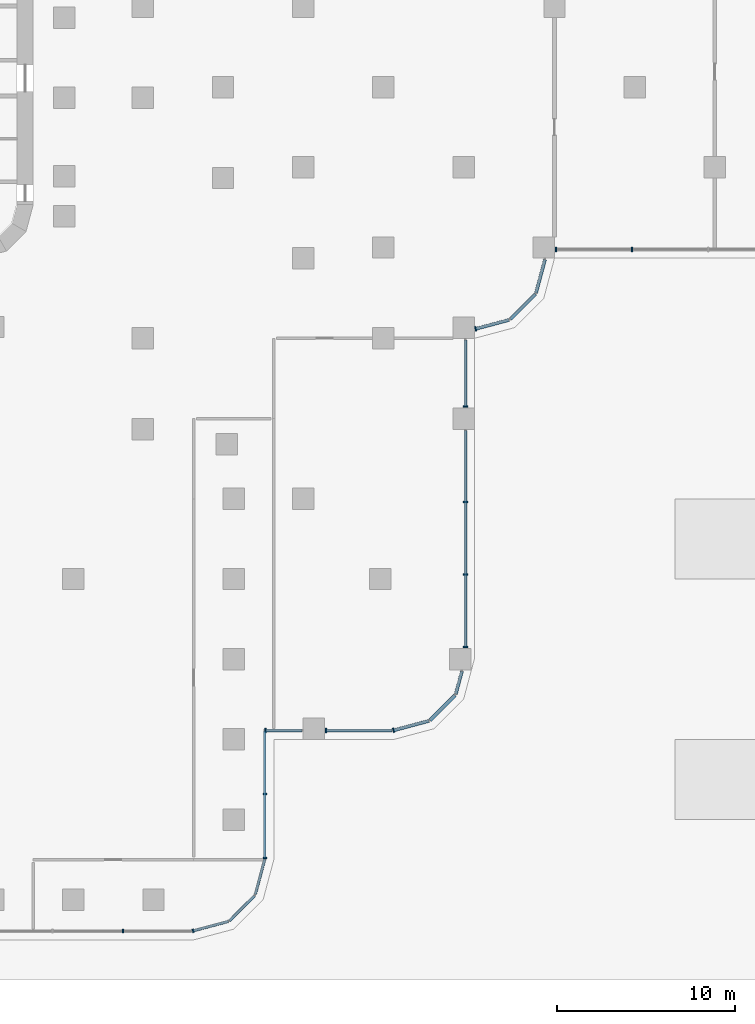
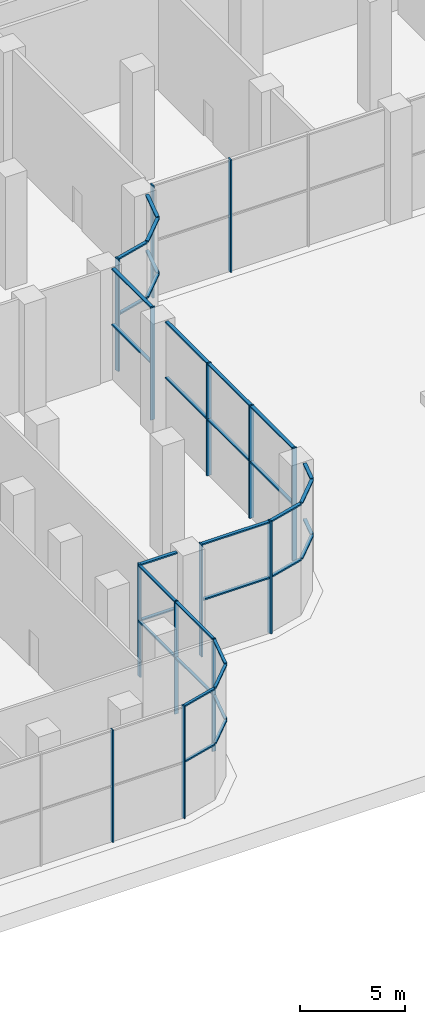
# One storey, part 5 of 34: 42 members, 14 elements without a shape of their own.
"""IFC4 building model written with IfcOpenShell, lengths in metres."""

from ifc_helpers import new_model, si_unit, direction, origin, place, context, subcontext, project, spatial, polyline, outline, extrude, source, transform, mapped, material, type_object, element, aggregate, save


model = new_model("IFC4")

# Units and contexts
model_context = context("Model", 3, precision=1e-05, world=origin(), true_north=direction((0.0, 1.0)))
body_context = subcontext(model_context, "Body", "Model", "MODEL_VIEW")
ifc_project = project(units=[si_unit("LENGTHUNIT", "METRE"), si_unit("AREAUNIT", "SQUARE_METRE"), si_unit("VOLUMEUNIT", "CUBIC_METRE"), si_unit("PLANEANGLEUNIT", "RADIAN"), si_unit("MASSUNIT", "GRAM", prefix="KILO")], contexts=[model_context])

# Site, building, storey
site_placement = place(None, origin())
site = spatial("IfcSite", under=ifc_project, at=site_placement, CompositionType="ELEMENT")
building_placement = place(site_placement, origin())
building = spatial("IfcBuilding", under=site, at=building_placement, Name="Zarbagh Exchange Tower", CompositionType="ELEMENT")
storey_placement = place(building_placement, origin())
storey = spatial("IfcBuildingStorey", under=building, at=storey_placement, Name="L00", CompositionType="ELEMENT", Elevation=0.0)

# Curtain wall, member
ifc_material_1 = material(Name="Anodised aluminium frame and glazing", Category="aluminium")
curtain_wall_type_1 = type_object("IfcCurtainWallType", Name="CWD Exchange hall wall glazing", PredefinedType="NOTDEFINED", material=ifc_material_1)
curtain_wall_1_placement = place(storey_placement, origin())
curtain_wall_1 = element("IfcCurtainWall", 1, at=curtain_wall_1_placement, inside=storey, type_object=curtain_wall_type_1, Name="CWD01 curtain wall", PredefinedType="NOTDEFINED")
ifc_material_2 = material(Name="Anodised aluminium frame", Category="aluminium")
member_type_1 = type_object("IfcMemberType", Name="MUD Mullion, anodised aluminium frame", PredefinedType="MULLION", material=ifc_material_2)
shared_shape_1 = source(origin(), body_context, "Body", "SweptSolid", [
    extrude(outline(polyline([(0.0, -0.10009765625), (0.080078125, -0.10009765625), (0.080078125, 0.10009765625), (0.0, 0.10009765625), (0.0, -0.10009765625)])), origin(), (0.0, 0.0, 1.0), 6.550048828125),
])
placement = place(storey_placement, origin())
member_1 = element("IfcMember", 2, at=placement, type_object=member_type_1, Name="CWD01 mullion 1.1", PredefinedType="MULLION", context=body_context, shape_type="MappedRepresentation", body=[
    mapped(shared_shape_1, transform((13.43408203125, -67.0, 0.0), x_axis=(0.965924289636, 0.258824779902, 0.0), y_axis=(-0.258824779902, 0.965924289636, 0.0), z_axis=(0.0, 0.0, 1.0))),
])

# Curtain wall, members
curtain_wall_2_placement = place(storey_placement, origin())
curtain_wall_2 = element("IfcCurtainWall", 3, at=curtain_wall_2_placement, inside=storey, type_object=curtain_wall_type_1, Name="CWD04 curtain wall", PredefinedType="NOTDEFINED")
member_2 = element("IfcMember", 4, at=placement, type_object=member_type_1, Name="CWD04 mullion 1.1", PredefinedType="MULLION", context=body_context, shape_type="MappedRepresentation", body=[
    mapped(shared_shape_1, transform((17.5, -62.93408203125, 0.0), x_axis=(0.0, 1.0, 0.0), y_axis=(-1.0, 0.0, 0.0), z_axis=(0.0, 0.0, 1.0))),
])
member_3 = element("IfcMember", 5, at=placement, type_object=member_type_1, Name="CWD04 mullion 1.2", PredefinedType="MULLION", context=body_context, shape_type="MappedRepresentation", body=[
    mapped(shared_shape_1, transform((17.5, -59.342041015625, 0.0), x_axis=(0.0, 1.0, 0.0), y_axis=(-1.0, 0.0, 0.0), z_axis=(0.0, 0.0, 1.0))),
])

# Curtain wall, member
curtain_wall_3_placement = place(storey_placement, origin())
curtain_wall_3 = element("IfcCurtainWall", 6, at=curtain_wall_3_placement, inside=storey, type_object=curtain_wall_type_1, Name="CWD09 curtain wall", PredefinedType="NOTDEFINED")
member_4 = element("IfcMember", 7, at=placement, type_object=member_type_1, Name="CWD09 mullion 2.3", PredefinedType="MULLION", context=body_context, shape_type="MappedRepresentation", body=[
    mapped(shared_shape_1, transform((9.489501953125, -67.0, 0.0), x_axis=(1.0, 0.0, 0.0), y_axis=(0.0, 1.0, 0.0), z_axis=(0.0, 0.0, 1.0))),
])
aggregate(curtain_wall_3, [member_4])

# Member
member_type_2 = type_object("IfcMemberType", Name="TRD Transom, anodised aluminium frame", PredefinedType="USERDEFINED", material=ifc_material_2)
shared_shape_2 = source(origin(), body_context, "Body", "SweptSolid", [
    extrude(outline(polyline([(-0.080078125, -0.074951171875), (0.0, -0.074951171875), (0.0, 0.074951171875), (-0.080078125, 0.074951171875), (-0.080078125, -0.074951171875)])), origin(), (0.0, 0.0, 1.0), 2.049560546875),
])
member_5 = element("IfcMember", 8, at=placement, type_object=member_type_2, Name="CWD01 transom 1.1", ObjectType="TRANSOM", PredefinedType="USERDEFINED", context=body_context, shape_type="MappedRepresentation", body=[
    mapped(shared_shape_2, transform((13.472900390625, -66.98974609375, 6.550048828125), x_axis=(0.0, 0.0, 1.0), y_axis=(0.258824779902, -0.965924289636, 0.0), z_axis=(0.965924289636, 0.258824779902, 0.0))),
])

# Curtain wall, member
curtain_wall_4_placement = place(storey_placement, origin())
curtain_wall_4 = element("IfcCurtainWall", 9, at=curtain_wall_4_placement, inside=storey, type_object=curtain_wall_type_1, Name="CWD03 curtain wall", PredefinedType="NOTDEFINED")
member_6 = element("IfcMember", 10, at=placement, type_object=member_type_2, Name="CWD03 transom 1.1", ObjectType="TRANSOM", PredefinedType="USERDEFINED", context=body_context, shape_type="MappedRepresentation", body=[
    mapped(shared_shape_2, transform((16.959228515625, -64.95263671875, 6.550048828125), x_axis=(0.0, 0.0, 1.0), y_axis=(0.965924289636, -0.258824779902, 0.0), z_axis=(0.258824779902, 0.965924289636, 0.0))),
])

# Member
shared_shape_3 = source(origin(), body_context, "Body", "SweptSolid", [
    extrude(outline(polyline([(-0.0400390625, -0.074951171875), (0.0400390625, -0.074951171875), (0.0400390625, 0.074951171875), (-0.0400390625, 0.074951171875), (-0.0400390625, -0.074951171875)])), origin(), (0.0, 0.0, 1.0), 2.049560546875),
])
member_7 = element("IfcMember", 11, at=placement, type_object=member_type_2, Name="CWD01 mid transom 1", ObjectType="TRANSOM", PredefinedType="USERDEFINED", context=body_context, shape_type="MappedRepresentation", body=[
    mapped(shared_shape_3, transform((13.472900390625, -66.98974609375, 3.27490234375), x_axis=(0.0, 0.0, 1.0), y_axis=(0.258824779902, -0.965924289636, 0.0), z_axis=(0.965924289636, 0.258824779902, 0.0))),
])

aggregate(curtain_wall_1, [member_1, member_5, member_7])

member_8 = element("IfcMember", 12, at=placement, type_object=member_type_2, Name="CWD03 mid transom 1", ObjectType="TRANSOM", PredefinedType="USERDEFINED", context=body_context, shape_type="MappedRepresentation", body=[
    mapped(shared_shape_3, transform((16.959228515625, -64.95263671875, 3.27490234375), x_axis=(0.0, 0.0, 1.0), y_axis=(0.965924289636, -0.258824779902, 0.0), z_axis=(0.258824779902, 0.965924289636, 0.0))),
])

aggregate(curtain_wall_4, [member_6, member_8])

# Curtain wall, members
curtain_wall_5_placement = place(storey_placement, origin())
curtain_wall_5 = element("IfcCurtainWall", 13, at=curtain_wall_5_placement, inside=storey, type_object=curtain_wall_type_1, Name="CWD02 curtain wall", PredefinedType="NOTDEFINED")
shared_shape_4 = source(origin(), body_context, "Body", "SweptSolid", [
    extrude(outline(polyline([(-0.080078125, -0.074951171875), (0.0, -0.074951171875), (0.0, 0.074951171875), (-0.080078125, 0.074951171875), (-0.080078125, -0.074951171875)])), origin(), (0.0, 0.0, 1.0), 1.9814453125),
])
member_9 = element("IfcMember", 14, at=placement, type_object=member_type_2, Name="CWD02 transom 1.1", ObjectType="TRANSOM", PredefinedType="USERDEFINED", context=body_context, shape_type="MappedRepresentation", body=[
    mapped(shared_shape_4, transform((15.51953125, -66.42041015625, 6.550048828125), x_axis=(0.0, 0.0, 1.0), y_axis=(0.707106781187, -0.707106781187, 0.0), z_axis=(0.707106781187, 0.707106781187, 0.0))),
])
shared_shape_5 = source(origin(), body_context, "Body", "SweptSolid", [
    extrude(outline(polyline([(-0.0400390625, -0.074951171875), (0.0400390625, -0.074951171875), (0.0400390625, 0.074951171875), (-0.0400390625, 0.074951171875), (-0.0400390625, -0.074951171875)])), origin(), (0.0, 0.0, 1.0), 1.9814453125),
])
member_10 = element("IfcMember", 15, at=placement, type_object=member_type_2, Name="CWD02 mid transom 1", ObjectType="TRANSOM", PredefinedType="USERDEFINED", context=body_context, shape_type="MappedRepresentation", body=[
    mapped(shared_shape_5, transform((15.51953125, -66.42041015625, 3.27490234375), x_axis=(0.0, 0.0, 1.0), y_axis=(0.707106781187, -0.707106781187, 0.0), z_axis=(0.707106781187, 0.707106781187, 0.0))),
])
aggregate(curtain_wall_5, [member_9, member_10])

# Member
shared_shape_6 = source(origin(), body_context, "Body", "SweptSolid", [
    extrude(outline(polyline([(-0.080078125, -0.074951171875), (0.0, -0.074951171875), (0.0, 0.074951171875), (-0.080078125, 0.074951171875), (-0.080078125, -0.074951171875)])), origin(), (0.0, 0.0, 1.0), 7.104248046875),
])
member_11 = element("IfcMember", 16, at=placement, type_object=member_type_2, Name="CWD04 transom 1.1", ObjectType="TRANSOM", PredefinedType="USERDEFINED", context=body_context, shape_type="MappedRepresentation", body=[
    mapped(shared_shape_6, transform((17.5, -62.894287109375, 6.550048828125), x_axis=(0.0, 0.0, 1.0), y_axis=(1.0, 0.0, 0.0), z_axis=(0.0, 1.0, 0.0))),
])

shared_shape_7 = source(origin(), body_context, "Body", "SweptSolid", [
    extrude(outline(polyline([(-0.0400390625, -0.074951171875), (0.0400390625, -0.074951171875), (0.0400390625, 0.074951171875), (-0.0400390625, 0.074951171875), (-0.0400390625, -0.074951171875)])), origin(), (0.0, 0.0, 1.0), 7.104248046875),
])
member_12 = element("IfcMember", 17, at=placement, type_object=member_type_2, Name="CWD04 mid transom 1", ObjectType="TRANSOM", PredefinedType="USERDEFINED", context=body_context, shape_type="MappedRepresentation", body=[
    mapped(shared_shape_7, transform((17.5, -62.894287109375, 3.27490234375), x_axis=(0.0, 0.0, 1.0), y_axis=(1.0, 0.0, 0.0), z_axis=(0.0, 1.0, 0.0))),
])

aggregate(curtain_wall_2, [member_2, member_11, member_12, member_3])

# Curtain wall, members
curtain_wall_type_2 = type_object("IfcCurtainWallType", Name="CWC Podium garden-wall glazing", PredefinedType="NOTDEFINED", material=ifc_material_1)
curtain_wall_6_placement = place(storey_placement, origin())
curtain_wall_6 = element("IfcCurtainWall", 18, at=curtain_wall_6_placement, inside=storey, type_object=curtain_wall_type_2, Name="CWC01 curtain wall", PredefinedType="NOTDEFINED")
member_type_3 = type_object("IfcMemberType", Name="MUC Mullion, anodised aluminium frame", PredefinedType="MULLION", material=ifc_material_2)
shared_shape_8 = source(origin(), body_context, "Body", "SweptSolid", [
    extrude(outline(polyline([(0.0, -0.125), (0.080078125, -0.125), (0.080078125, 0.125), (0.0, 0.125), (0.0, -0.125)])), origin(), (0.0, 0.0, 1.0), 6.550048828125),
])
member_13 = element("IfcMember", 19, at=placement, type_object=member_type_3, Name="CWC01 mullion 1.1", PredefinedType="MULLION", context=body_context, shape_type="MappedRepresentation", body=[
    mapped(shared_shape_8, transform((17.5, -55.75, 0.0), x_axis=(1.0, 0.0, 0.0), y_axis=(0.0, 1.0, 0.0), z_axis=(0.0, 0.0, 1.0))),
])
member_14 = element("IfcMember", 20, at=placement, type_object=member_type_3, Name="CWC01 mullion 2.1", PredefinedType="MULLION", context=body_context, shape_type="MappedRepresentation", body=[
    mapped(shared_shape_8, transform((20.889892578125, -55.75, 0.0), x_axis=(1.0, 0.0, 0.0), y_axis=(0.0, 1.0, 0.0), z_axis=(0.0, 0.0, 1.0))),
])

# Curtain wall, member
curtain_wall_7_placement = place(storey_placement, origin())
curtain_wall_7 = element("IfcCurtainWall", 21, at=curtain_wall_7_placement, inside=storey, type_object=curtain_wall_type_2, Name="CWC02 curtain wall", PredefinedType="NOTDEFINED")
member_15 = element("IfcMember", 22, at=placement, type_object=member_type_3, Name="CWC02 mullion 1.1", PredefinedType="MULLION", context=body_context, shape_type="MappedRepresentation", body=[
    mapped(shared_shape_8, transform((24.68408203125, -55.75, 0.0), x_axis=(0.965924289636, 0.258824779902, 0.0), y_axis=(-0.258824779902, 0.965924289636, 0.0), z_axis=(0.0, 0.0, 1.0))),
])

# Curtain wall, members
curtain_wall_8_placement = place(storey_placement, origin())
curtain_wall_8 = element("IfcCurtainWall", 23, at=curtain_wall_8_placement, inside=storey, type_object=curtain_wall_type_2, Name="CWC05 curtain wall", PredefinedType="NOTDEFINED")
member_16 = element("IfcMember", 24, at=placement, type_object=member_type_3, Name="CWC05 mullion 1.1", PredefinedType="MULLION", context=body_context, shape_type="MappedRepresentation", body=[
    mapped(shared_shape_8, transform((28.75, -51.10986328125, 0.0), x_axis=(0.0, 1.0, 0.0), y_axis=(-1.0, 0.0, 0.0), z_axis=(0.0, 0.0, 1.0))),
])
member_17 = element("IfcMember", 25, at=placement, type_object=member_type_3, Name="CWC05 mullion 1.2", PredefinedType="MULLION", context=body_context, shape_type="MappedRepresentation", body=[
    mapped(shared_shape_8, transform((28.75, -47.03662109375, 0.0), x_axis=(0.0, 1.0, 0.0), y_axis=(-1.0, 0.0, 0.0), z_axis=(0.0, 0.0, 1.0))),
])
member_18 = element("IfcMember", 26, at=placement, type_object=member_type_3, Name="CWC05 mullion 1.3", PredefinedType="MULLION", context=body_context, shape_type="MappedRepresentation", body=[
    mapped(shared_shape_8, transform((28.75, -42.96337890625, 0.0), x_axis=(0.0, 1.0, 0.0), y_axis=(-1.0, 0.0, 0.0), z_axis=(0.0, 0.0, 1.0))),
])
member_19 = element("IfcMember", 27, at=placement, type_object=member_type_3, Name="CWC05 mullion 2.1", PredefinedType="MULLION", context=body_context, shape_type="MappedRepresentation", body=[
    mapped(shared_shape_8, transform((28.75, -37.60986328125, 0.0), x_axis=(0.0, 1.0, 0.0), y_axis=(-1.0, 0.0, 0.0), z_axis=(0.0, 0.0, 1.0))),
])

# Curtain wall, member
curtain_wall_9_placement = place(storey_placement, origin())
curtain_wall_9 = element("IfcCurtainWall", 28, at=curtain_wall_9_placement, inside=storey, type_object=curtain_wall_type_2, Name="CWC06 curtain wall", PredefinedType="NOTDEFINED")
member_20 = element("IfcMember", 29, at=placement, type_object=member_type_3, Name="CWC06 mullion 1.1", PredefinedType="MULLION", context=body_context, shape_type="MappedRepresentation", body=[
    mapped(shared_shape_8, transform((29.2900390625, -33.2216796875, 0.0), x_axis=(0.965924289636, 0.258824779902, 0.0), y_axis=(-0.258824779902, 0.965924289636, 0.0), z_axis=(0.0, 0.0, 1.0))),
])

# Curtain wall, members
curtain_wall_10_placement = place(storey_placement, origin())
curtain_wall_10 = element("IfcCurtainWall", 30, at=curtain_wall_10_placement, inside=storey, type_object=curtain_wall_type_2, Name="CWC09 curtain wall", PredefinedType="NOTDEFINED")
member_21 = element("IfcMember", 31, at=placement, type_object=member_type_3, Name="CWC09 mullion 1.1", PredefinedType="MULLION", context=body_context, shape_type="MappedRepresentation", body=[
    mapped(shared_shape_8, transform((33.7900390625, -28.75, 0.0), x_axis=(1.0, 0.0, 0.0), y_axis=(0.0, 1.0, 0.0), z_axis=(0.0, 0.0, 1.0))),
])
member_22 = element("IfcMember", 32, at=placement, type_object=member_type_3, Name="CWC09 mullion 1.2", PredefinedType="MULLION", context=body_context, shape_type="MappedRepresentation", body=[
    mapped(shared_shape_8, transform((38.0634765625, -28.75, 0.0), x_axis=(1.0, 0.0, 0.0), y_axis=(0.0, 1.0, 0.0), z_axis=(0.0, 0.0, 1.0))),
])
aggregate(curtain_wall_10, [member_21, member_22])

# Member
member_type_4 = type_object("IfcMemberType", Name="TRC Transom, anodised aluminium frame", PredefinedType="USERDEFINED", material=ifc_material_2)
shared_shape_9 = source(origin(), body_context, "Body", "SweptSolid", [
    extrude(outline(polyline([(-0.080078125, -0.090087890625), (0.0, -0.090087890625), (0.0, 0.090087890625), (-0.080078125, 0.090087890625), (-0.080078125, -0.090087890625)])), origin(), (0.0, 0.0, 1.0), 2.030029296875),
])
member_23 = element("IfcMember", 33, at=placement, type_object=member_type_4, Name="CWC01 transom 1.1", ObjectType="TRANSOM", PredefinedType="USERDEFINED", context=body_context, shape_type="MappedRepresentation", body=[
    mapped(shared_shape_9, transform((17.5400390625, -55.75, 6.550048828125), x_axis=(0.0, 0.0, 1.0), y_axis=(0.0, -1.0, 0.0), z_axis=(1.0, 0.0, 0.0))),
])

shared_shape_10 = source(origin(), body_context, "Body", "SweptSolid", [
    extrude(outline(polyline([(-0.0400390625, -0.090087890625), (0.0400390625, -0.090087890625), (0.0400390625, 0.090087890625), (-0.0400390625, 0.090087890625), (-0.0400390625, -0.090087890625)])), origin(), (0.0, 0.0, 1.0), 2.030029296875),
])
member_24 = element("IfcMember", 34, at=placement, type_object=member_type_4, Name="CWC01 mid transom 1", ObjectType="TRANSOM", PredefinedType="USERDEFINED", context=body_context, shape_type="MappedRepresentation", body=[
    mapped(shared_shape_10, transform((17.5400390625, -55.75, 3.27490234375), x_axis=(0.0, 0.0, 1.0), y_axis=(0.0, -1.0, 0.0), z_axis=(1.0, 0.0, 0.0))),
])

shared_shape_11 = source(origin(), body_context, "Body", "SweptSolid", [
    extrude(outline(polyline([(-0.080078125, -0.090087890625), (0.0, -0.090087890625), (0.0, 0.090087890625), (-0.080078125, 0.090087890625), (-0.080078125, -0.090087890625)])), origin(), (0.0, 0.0, 1.0), 3.714111328125),
])
member_25 = element("IfcMember", 35, at=placement, type_object=member_type_4, Name="CWC01 transom 2.1", ObjectType="TRANSOM", PredefinedType="USERDEFINED", context=body_context, shape_type="MappedRepresentation", body=[
    mapped(shared_shape_11, transform((20.929931640625, -55.75, 6.550048828125), x_axis=(0.0, 0.0, 1.0), y_axis=(0.0, -1.0, 0.0), z_axis=(1.0, 0.0, 0.0))),
])

shared_shape_12 = source(origin(), body_context, "Body", "SweptSolid", [
    extrude(outline(polyline([(-0.0400390625, -0.090087890625), (0.0400390625, -0.090087890625), (0.0400390625, 0.090087890625), (-0.0400390625, 0.090087890625), (-0.0400390625, -0.090087890625)])), origin(), (0.0, 0.0, 1.0), 3.714111328125),
])
member_26 = element("IfcMember", 36, at=placement, type_object=member_type_4, Name="CWC01 mid transom 2", ObjectType="TRANSOM", PredefinedType="USERDEFINED", context=body_context, shape_type="MappedRepresentation", body=[
    mapped(shared_shape_12, transform((20.929931640625, -55.75, 3.27490234375), x_axis=(0.0, 0.0, 1.0), y_axis=(0.0, -1.0, 0.0), z_axis=(1.0, 0.0, 0.0))),
])

aggregate(curtain_wall_6, [member_13, member_23, member_24, member_14, member_25, member_26])

shared_shape_13 = source(origin(), body_context, "Body", "SweptSolid", [
    extrude(outline(polyline([(-0.080078125, -0.090087890625), (0.0, -0.090087890625), (0.0, 0.090087890625), (-0.080078125, 0.090087890625), (-0.080078125, -0.090087890625)])), origin(), (0.0, 0.0, 1.0), 2.049560546875),
])
member_27 = element("IfcMember", 37, at=placement, type_object=member_type_4, Name="CWC02 transom 1.1", ObjectType="TRANSOM", PredefinedType="USERDEFINED", context=body_context, shape_type="MappedRepresentation", body=[
    mapped(shared_shape_13, transform((24.722900390625, -55.73974609375, 6.550048828125), x_axis=(0.0, 0.0, 1.0), y_axis=(0.258824779902, -0.965924289636, 0.0), z_axis=(0.965924289636, 0.258824779902, 0.0))),
])

shared_shape_14 = source(origin(), body_context, "Body", "SweptSolid", [
    extrude(outline(polyline([(-0.0400390625, -0.090087890625), (0.0400390625, -0.090087890625), (0.0400390625, 0.090087890625), (-0.0400390625, 0.090087890625), (-0.0400390625, -0.090087890625)])), origin(), (0.0, 0.0, 1.0), 2.049560546875),
])
member_28 = element("IfcMember", 38, at=placement, type_object=member_type_4, Name="CWC02 mid transom 1", ObjectType="TRANSOM", PredefinedType="USERDEFINED", context=body_context, shape_type="MappedRepresentation", body=[
    mapped(shared_shape_14, transform((24.722900390625, -55.73974609375, 3.27490234375), x_axis=(0.0, 0.0, 1.0), y_axis=(0.258824779902, -0.965924289636, 0.0), z_axis=(0.965924289636, 0.258824779902, 0.0))),
])

aggregate(curtain_wall_7, [member_15, member_27, member_28])

# Curtain wall, member
curtain_wall_11_placement = place(storey_placement, origin())
curtain_wall_11 = element("IfcCurtainWall", 39, at=curtain_wall_11_placement, inside=storey, type_object=curtain_wall_type_2, Name="CWC03 curtain wall", PredefinedType="NOTDEFINED")
shared_shape_15 = source(origin(), body_context, "Body", "SweptSolid", [
    extrude(outline(polyline([(-0.080078125, -0.090087890625), (0.0, -0.090087890625), (0.0, 0.090087890625), (-0.080078125, 0.090087890625), (-0.080078125, -0.090087890625)])), origin(), (0.0, 0.0, 1.0), 1.9814453125),
])
member_29 = element("IfcMember", 40, at=placement, type_object=member_type_4, Name="CWC03 transom 1.1", ObjectType="TRANSOM", PredefinedType="USERDEFINED", context=body_context, shape_type="MappedRepresentation", body=[
    mapped(shared_shape_15, transform((26.76953125, -55.17041015625, 6.550048828125), x_axis=(0.0, 0.0, 1.0), y_axis=(0.707106781187, -0.707106781187, 0.0), z_axis=(0.707106781187, 0.707106781187, 0.0))),
])

curtain_wall_12_placement = place(storey_placement, origin())
curtain_wall_12 = element("IfcCurtainWall", 41, at=curtain_wall_12_placement, inside=storey, type_object=curtain_wall_type_2, Name="CWC07 curtain wall", PredefinedType="NOTDEFINED")
member_30 = element("IfcMember", 42, at=placement, type_object=member_type_4, Name="CWC07 transom 1.1", ObjectType="TRANSOM", PredefinedType="USERDEFINED", context=body_context, shape_type="MappedRepresentation", body=[
    mapped(shared_shape_15, transform((31.26953125, -32.67041015625, 6.550048828125), x_axis=(0.0, 0.0, 1.0), y_axis=(0.707106781187, -0.707106781187, 0.0), z_axis=(0.707106781187, 0.707106781187, 0.0))),
])

# Member
shared_shape_16 = source(origin(), body_context, "Body", "SweptSolid", [
    extrude(outline(polyline([(-0.0400390625, -0.090087890625), (0.0400390625, -0.090087890625), (0.0400390625, 0.090087890625), (-0.0400390625, 0.090087890625), (-0.0400390625, -0.090087890625)])), origin(), (0.0, 0.0, 1.0), 1.9814453125),
])
member_31 = element("IfcMember", 43, at=placement, type_object=member_type_4, Name="CWC03 mid transom 1", ObjectType="TRANSOM", PredefinedType="USERDEFINED", context=body_context, shape_type="MappedRepresentation", body=[
    mapped(shared_shape_16, transform((26.76953125, -55.17041015625, 3.27490234375), x_axis=(0.0, 0.0, 1.0), y_axis=(0.707106781187, -0.707106781187, 0.0), z_axis=(0.707106781187, 0.707106781187, 0.0))),
])

aggregate(curtain_wall_11, [member_29, member_31])

member_32 = element("IfcMember", 44, at=placement, type_object=member_type_4, Name="CWC07 mid transom 1", ObjectType="TRANSOM", PredefinedType="USERDEFINED", context=body_context, shape_type="MappedRepresentation", body=[
    mapped(shared_shape_16, transform((31.26953125, -32.67041015625, 3.27490234375), x_axis=(0.0, 0.0, 1.0), y_axis=(0.707106781187, -0.707106781187, 0.0), z_axis=(0.707106781187, 0.707106781187, 0.0))),
])

aggregate(curtain_wall_12, [member_30, member_32])

# Curtain wall, members
curtain_wall_13_placement = place(storey_placement, origin())
curtain_wall_13 = element("IfcCurtainWall", 45, at=curtain_wall_13_placement, inside=storey, type_object=curtain_wall_type_2, Name="CWC04 curtain wall", PredefinedType="NOTDEFINED")
shared_shape_17 = source(origin(), body_context, "Body", "SweptSolid", [
    extrude(outline(polyline([(-0.080078125, -0.090087890625), (0.0, -0.090087890625), (0.0, 0.090087890625), (-0.080078125, 0.090087890625), (-0.080078125, -0.090087890625)])), origin(), (0.0, 0.0, 1.0), 1.31884765625),
])
member_33 = element("IfcMember", 46, at=placement, type_object=member_type_4, Name="CWC04 transom 1.1", ObjectType="TRANSOM", PredefinedType="USERDEFINED", context=body_context, shape_type="MappedRepresentation", body=[
    mapped(shared_shape_17, transform((28.209228515625, -53.70263671875, 6.550048828125), x_axis=(0.0, 0.0, 1.0), y_axis=(0.965924289636, -0.258824779902, 0.0), z_axis=(0.258824779902, 0.965924289636, 0.0))),
])
shared_shape_18 = source(origin(), body_context, "Body", "SweptSolid", [
    extrude(outline(polyline([(-0.0400390625, -0.090087890625), (0.0400390625, -0.090087890625), (0.0400390625, 0.090087890625), (-0.0400390625, 0.090087890625), (-0.0400390625, -0.090087890625)])), origin(), (0.0, 0.0, 1.0), 1.31884765625),
])
member_34 = element("IfcMember", 47, at=placement, type_object=member_type_4, Name="CWC04 mid transom 1", ObjectType="TRANSOM", PredefinedType="USERDEFINED", context=body_context, shape_type="MappedRepresentation", body=[
    mapped(shared_shape_18, transform((28.209228515625, -53.70263671875, 3.27490234375), x_axis=(0.0, 0.0, 1.0), y_axis=(0.965924289636, -0.258824779902, 0.0), z_axis=(0.258824779902, 0.965924289636, 0.0))),
])
aggregate(curtain_wall_13, [member_33, member_34])

# Member
shared_shape_19 = source(origin(), body_context, "Body", "SweptSolid", [
    extrude(outline(polyline([(-0.080078125, -0.090087890625), (0.0, -0.090087890625), (0.0, 0.090087890625), (-0.080078125, 0.090087890625), (-0.080078125, -0.090087890625)])), origin(), (0.0, 0.0, 1.0), 12.139892578125),
])
member_35 = element("IfcMember", 48, at=placement, type_object=member_type_4, Name="CWC05 transom 1.1", ObjectType="TRANSOM", PredefinedType="USERDEFINED", context=body_context, shape_type="MappedRepresentation", body=[
    mapped(shared_shape_19, transform((28.75, -51.070068359375, 6.550048828125), x_axis=(0.0, 0.0, 1.0), y_axis=(1.0, 0.0, 0.0), z_axis=(0.0, 1.0, 0.0))),
])

shared_shape_20 = source(origin(), body_context, "Body", "SweptSolid", [
    extrude(outline(polyline([(-0.0400390625, -0.090087890625), (0.0400390625, -0.090087890625), (0.0400390625, 0.090087890625), (-0.0400390625, 0.090087890625), (-0.0400390625, -0.090087890625)])), origin(), (0.0, 0.0, 1.0), 12.139892578125),
])
member_36 = element("IfcMember", 49, at=placement, type_object=member_type_4, Name="CWC05 mid transom 1", ObjectType="TRANSOM", PredefinedType="USERDEFINED", context=body_context, shape_type="MappedRepresentation", body=[
    mapped(shared_shape_20, transform((28.75, -51.070068359375, 3.27490234375), x_axis=(0.0, 0.0, 1.0), y_axis=(1.0, 0.0, 0.0), z_axis=(0.0, 1.0, 0.0))),
])

shared_shape_21 = source(origin(), body_context, "Body", "SweptSolid", [
    extrude(outline(polyline([(-0.080078125, -0.090087890625), (0.0, -0.090087890625), (0.0, 0.090087890625), (-0.080078125, 0.090087890625), (-0.080078125, -0.090087890625)])), origin(), (0.0, 0.0, 1.0), 3.739990234375),
])
member_37 = element("IfcMember", 50, at=placement, type_object=member_type_4, Name="CWC05 transom 2.1", ObjectType="TRANSOM", PredefinedType="USERDEFINED", context=body_context, shape_type="MappedRepresentation", body=[
    mapped(shared_shape_21, transform((28.75, -37.570068359375, 6.550048828125), x_axis=(0.0, 0.0, 1.0), y_axis=(1.0, 0.0, 0.0), z_axis=(0.0, 1.0, 0.0))),
])

shared_shape_22 = source(origin(), body_context, "Body", "SweptSolid", [
    extrude(outline(polyline([(-0.0400390625, -0.090087890625), (0.0400390625, -0.090087890625), (0.0400390625, 0.090087890625), (-0.0400390625, 0.090087890625), (-0.0400390625, -0.090087890625)])), origin(), (0.0, 0.0, 1.0), 3.739990234375),
])
member_38 = element("IfcMember", 51, at=placement, type_object=member_type_4, Name="CWC05 mid transom 2", ObjectType="TRANSOM", PredefinedType="USERDEFINED", context=body_context, shape_type="MappedRepresentation", body=[
    mapped(shared_shape_22, transform((28.75, -37.570068359375, 3.27490234375), x_axis=(0.0, 0.0, 1.0), y_axis=(1.0, 0.0, 0.0), z_axis=(0.0, 1.0, 0.0))),
])

aggregate(curtain_wall_8, [member_16, member_35, member_36, member_17, member_18, member_19, member_37, member_38])

shared_shape_23 = source(origin(), body_context, "Body", "SweptSolid", [
    extrude(outline(polyline([(-0.080078125, -0.090087890625), (0.0, -0.090087890625), (0.0, 0.090087890625), (-0.080078125, 0.090087890625), (-0.080078125, -0.090087890625)])), origin(), (0.0, 0.0, 1.0), 1.93994140625),
])
member_39 = element("IfcMember", 52, at=placement, type_object=member_type_4, Name="CWC06 transom 1.1", ObjectType="TRANSOM", PredefinedType="USERDEFINED", context=body_context, shape_type="MappedRepresentation", body=[
    mapped(shared_shape_23, transform((29.32861328125, -33.211181640625, 6.550048828125), x_axis=(0.0, 0.0, 1.0), y_axis=(0.258824779902, -0.965924289636, 0.0), z_axis=(0.965924289636, 0.258824779902, 0.0))),
])

# Curtain wall, member
curtain_wall_14_placement = place(storey_placement, origin())
curtain_wall_14 = element("IfcCurtainWall", 53, at=curtain_wall_14_placement, inside=storey, type_object=curtain_wall_type_2, Name="CWC08 curtain wall", PredefinedType="NOTDEFINED")
member_40 = element("IfcMember", 54, at=placement, type_object=member_type_4, Name="CWC08 transom 1.1", ObjectType="TRANSOM", PredefinedType="USERDEFINED", context=body_context, shape_type="MappedRepresentation", body=[
    mapped(shared_shape_23, transform((32.709228515625, -31.20263671875, 6.550048828125), x_axis=(0.0, 0.0, 1.0), y_axis=(0.965924289636, -0.258824779902, 0.0), z_axis=(0.258824779902, 0.965924289636, 0.0))),
])

# Member
shared_shape_24 = source(origin(), body_context, "Body", "SweptSolid", [
    extrude(outline(polyline([(-0.0400390625, -0.090087890625), (0.0400390625, -0.090087890625), (0.0400390625, 0.090087890625), (-0.0400390625, 0.090087890625), (-0.0400390625, -0.090087890625)])), origin(), (0.0, 0.0, 1.0), 1.93994140625),
])
member_41 = element("IfcMember", 55, at=placement, type_object=member_type_4, Name="CWC06 mid transom 1", ObjectType="TRANSOM", PredefinedType="USERDEFINED", context=body_context, shape_type="MappedRepresentation", body=[
    mapped(shared_shape_24, transform((29.32861328125, -33.211181640625, 3.27490234375), x_axis=(0.0, 0.0, 1.0), y_axis=(0.258824779902, -0.965924289636, 0.0), z_axis=(0.965924289636, 0.258824779902, 0.0))),
])

aggregate(curtain_wall_9, [member_20, member_39, member_41])

member_42 = element("IfcMember", 56, at=placement, type_object=member_type_4, Name="CWC08 mid transom 1", ObjectType="TRANSOM", PredefinedType="USERDEFINED", context=body_context, shape_type="MappedRepresentation", body=[
    mapped(shared_shape_24, transform((32.709228515625, -31.20263671875, 3.27490234375), x_axis=(0.0, 0.0, 1.0), y_axis=(0.965924289636, -0.258824779902, 0.0), z_axis=(0.258824779902, 0.965924289636, 0.0))),
])

aggregate(curtain_wall_14, [member_40, member_42])

save(model, "model.ifc")
